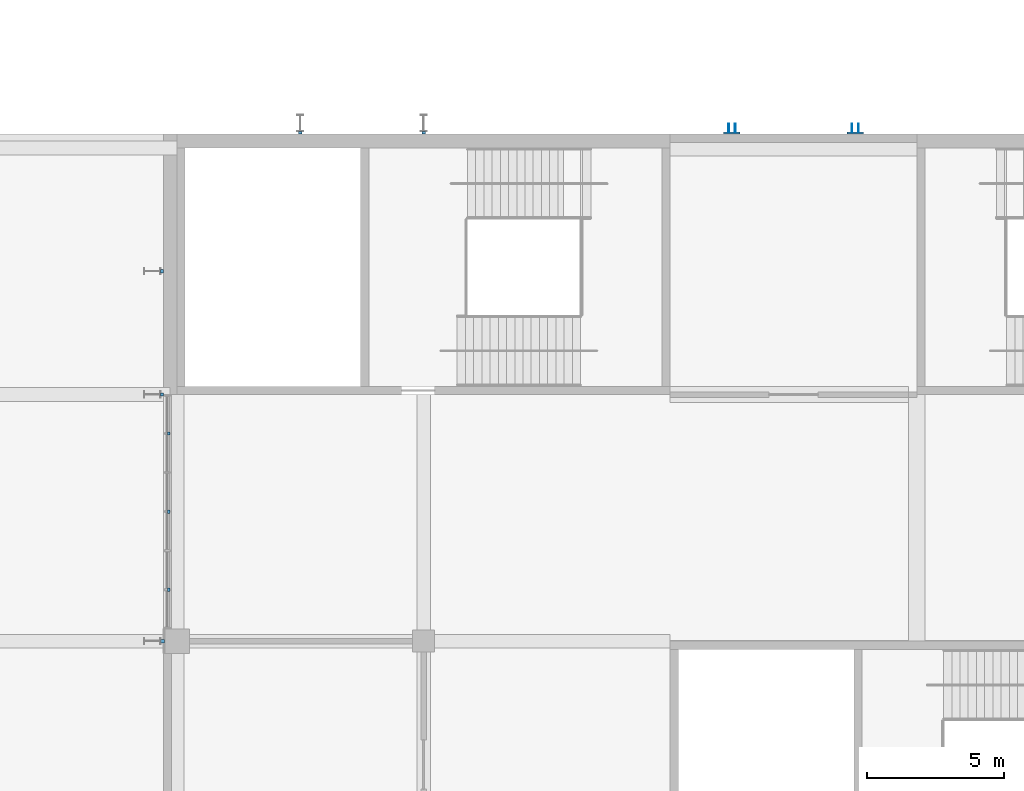
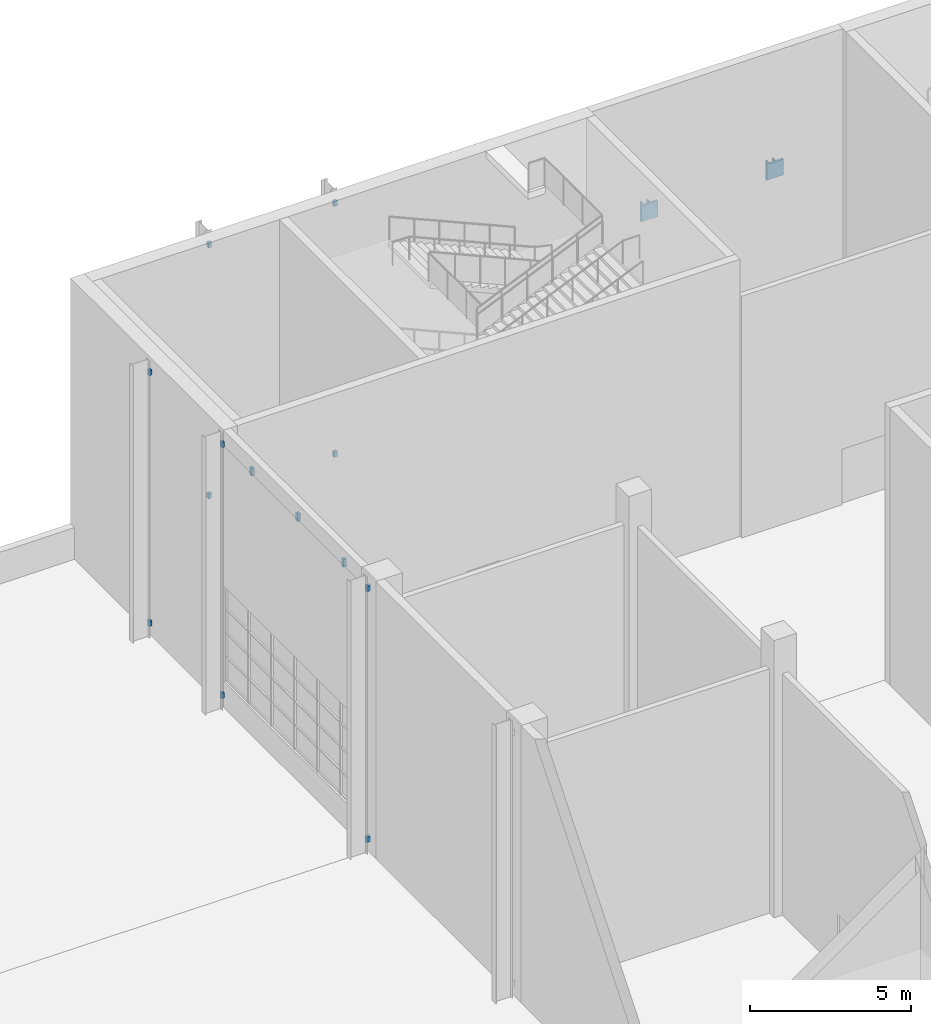
# One storey, part 127 of 182: 19 discrete accessories.
"""IFC4 building model written with IfcOpenShell, lengths in metres."""

from ifc_helpers import new_model, si_unit, direction, frame, origin, origin_2d, place, context, subcontext, project, spatial, rectangle, extrude, material, type_object, element, save


model = new_model("IFC4")

# Units and contexts
model_context = context("Model", 3, precision=1e-05, world=origin(), true_north=direction((0.0, 1.0)))
body_context = subcontext(model_context, "Body", "Model", "MODEL_VIEW")
ifc_project = project(units=[si_unit("LENGTHUNIT", "METRE"), si_unit("AREAUNIT", "SQUARE_METRE"), si_unit("VOLUMEUNIT", "CUBIC_METRE"), si_unit("PLANEANGLEUNIT", "RADIAN"), si_unit("MASSUNIT", "GRAM", prefix="KILO")], contexts=[model_context])

# Site, building, storey
site_placement = place(None, origin())
site = spatial("IfcSite", under=ifc_project, at=site_placement, CompositionType="ELEMENT")
building_placement = place(site_placement, origin())
building = spatial("IfcBuilding", under=site, at=building_placement, Name="Silverbay Arena", CompositionType="ELEMENT")
storey_placement = place(building_placement, frame((0.0, 0.0, 11.5)))
storey = spatial("IfcBuildingStorey", under=building, at=storey_placement, Name="L02", CompositionType="ELEMENT", Elevation=11.5)

# Discrete accessories
ifc_material = material(Name="Steel S355", Category="steel")
discrete_accessory_type = type_object("IfcDiscreteAccessoryType", Name="Steel bracket plate", PredefinedType="BRACKET", material=ifc_material)
for number, where, z_axis, x_axis, name in (
    (1, (53.699951171875, 127.875, 9.60009765625), (0.0, 0.0, 1.0), (1.0, 0.0, 0.0), "Cladding hanger bracket"),
    (2, (53.699951171875, 130.72509765625, 9.60009765625), (0.0, 0.0, 1.0), (1.0, 0.0, 0.0), "Cladding hanger bracket"),
    (3, (53.699951171875, 133.574951171875, 9.60009765625), (0.0, 0.0, 1.0), (1.0, 0.0, 0.0), "Cladding hanger bracket"),
):
    element("IfcDiscreteAccessory", number, at=place(storey_placement, frame(where, z_axis=z_axis, x_axis=x_axis)), inside=storey, type_object=discrete_accessory_type, Name=name, PredefinedType="BRACKET", context=body_context, shape_type="SweptSolid", body=[
        extrude(rectangle(XDim=0.10009765625, YDim=0.1201171875, at=origin_2d()), origin(), (0.0, 0.0, 1.0), 0.300048828125),
    ])
discrete_accessory_1_placement = place(storey_placement, frame((74.25, 144.5400390625, 5.46337890625), z_axis=(0.0, 0.0, 1.0), x_axis=(1.0, 0.0, 0.0)))
element("IfcDiscreteAccessory", 4, at=discrete_accessory_1_placement, inside=storey, type_object=discrete_accessory_type, Name="Marquee tie anchor plate", PredefinedType="BRACKET", context=body_context, shape_type="SweptSolid", body=[
    extrude(rectangle(XDim=0.60009765625, YDim=0.080078125, at=origin_2d()), origin(), (0.0, 0.0, 1.0), 0.60009765625),
])
for number, where, z_axis, x_axis, name in (
    (5, (74.1298828125, 144.72998046875, 5.5634765625), (0.0, 0.0, 1.0), (1.0, 0.0, 0.0), "Marquee tie gusset plate"),
    (6, (74.3701171875, 144.72998046875, 5.5634765625), (0.0, 0.0, 1.0), (1.0, 0.0, 0.0), "Marquee tie gusset plate"),
):
    element("IfcDiscreteAccessory", number, at=place(storey_placement, frame(where, z_axis=z_axis, x_axis=x_axis)), inside=storey, type_object=discrete_accessory_type, Name=name, PredefinedType="BRACKET", context=body_context, shape_type="SweptSolid", body=[
        extrude(rectangle(XDim=0.030029296875, YDim=0.300048828125, at=origin_2d()), origin(), (0.0, 0.0, 1.0), 0.39990234375),
    ])
discrete_accessory_2_placement = place(storey_placement, frame((78.75, 144.5400390625, 5.46337890625), z_axis=(0.0, 0.0, 1.0), x_axis=(1.0, 0.0, 0.0)))
element("IfcDiscreteAccessory", 7, at=discrete_accessory_2_placement, inside=storey, type_object=discrete_accessory_type, Name="Marquee tie anchor plate", PredefinedType="BRACKET", context=body_context, shape_type="SweptSolid", body=[
    extrude(rectangle(XDim=0.60009765625, YDim=0.080078125, at=origin_2d()), origin(), (0.0, 0.0, 1.0), 0.60009765625),
])
for number, where, z_axis, x_axis, name in (
    (8, (78.6298828125, 144.72998046875, 5.5634765625), (0.0, 0.0, 1.0), (1.0, 0.0, 0.0), "Marquee tie gusset plate"),
    (9, (78.8701171875, 144.72998046875, 5.5634765625), (0.0, 0.0, 1.0), (1.0, 0.0, 0.0), "Marquee tie gusset plate"),
):
    element("IfcDiscreteAccessory", number, at=place(storey_placement, frame(where, z_axis=z_axis, x_axis=x_axis)), inside=storey, type_object=discrete_accessory_type, Name=name, PredefinedType="BRACKET", context=body_context, shape_type="SweptSolid", body=[
        extrude(rectangle(XDim=0.030029296875, YDim=0.300048828125, at=origin_2d()), origin(), (0.0, 0.0, 1.0), 0.39990234375),
    ])
for number, where, z_axis, x_axis, name in (
    (10, (58.5, 144.550048828125, 0.39990234375), (0.0, 0.0, 1.0), (1.0, 0.0, 0.0), "Fin bracket"),
    (11, (58.5, 144.550048828125, 9.89990234375), (0.0, 0.0, 1.0), (1.0, 0.0, 0.0), "Fin bracket"),
    (12, (63.0, 144.550048828125, 0.39990234375), (0.0, 0.0, 1.0), (1.0, 0.0, 0.0), "Fin bracket"),
    (13, (63.0, 144.550048828125, 9.89990234375), (0.0, 0.0, 1.0), (1.0, 0.0, 0.0), "Fin bracket"),
):
    element("IfcDiscreteAccessory", number, at=place(storey_placement, frame(where, z_axis=z_axis, x_axis=x_axis)), inside=storey, type_object=discrete_accessory_type, Name=name, PredefinedType="BRACKET", context=body_context, shape_type="SweptSolid", body=[
        extrude(rectangle(XDim=0.1201171875, YDim=0.10009765625, at=origin_2d()), origin(), (0.0, 0.0, 1.0), 0.199951171875),
    ])
for number, where, z_axis, x_axis, name in (
    (14, (53.47509765625, 126.0, 0.39990234375), (0.0, 0.0, 1.0), (1.0, 0.0, 0.0), "Fin bracket"),
    (15, (53.47509765625, 126.0, 9.89990234375), (0.0, 0.0, 1.0), (1.0, 0.0, 0.0), "Fin bracket"),
):
    element("IfcDiscreteAccessory", number, at=place(storey_placement, frame(where, z_axis=z_axis, x_axis=x_axis)), inside=storey, type_object=discrete_accessory_type, Name=name, PredefinedType="BRACKET", context=body_context, shape_type="SweptSolid", body=[
        extrude(rectangle(XDim=0.14990234375, YDim=0.1201171875, at=origin_2d()), origin(), (0.0, 0.0, 1.0), 0.199951171875),
    ])
for number, where, z_axis, x_axis, name in (
    (16, (53.449951171875, 135.0, 0.39990234375), (0.0, 0.0, 1.0), (1.0, 0.0, 0.0), "Fin bracket"),
    (17, (53.449951171875, 135.0, 9.89990234375), (0.0, 0.0, 1.0), (1.0, 0.0, 0.0), "Fin bracket"),
    (18, (53.449951171875, 139.5, 0.39990234375), (0.0, 0.0, 1.0), (1.0, 0.0, 0.0), "Fin bracket"),
    (19, (53.449951171875, 139.5, 9.89990234375), (0.0, 0.0, 1.0), (1.0, 0.0, 0.0), "Fin bracket"),
):
    element("IfcDiscreteAccessory", number, at=place(storey_placement, frame(where, z_axis=z_axis, x_axis=x_axis)), inside=storey, type_object=discrete_accessory_type, Name=name, PredefinedType="BRACKET", context=body_context, shape_type="SweptSolid", body=[
        extrude(rectangle(XDim=0.10009765625, YDim=0.1201171875, at=origin_2d()), origin(), (0.0, 0.0, 1.0), 0.199951171875),
    ])

save(model, "model.ifc")
